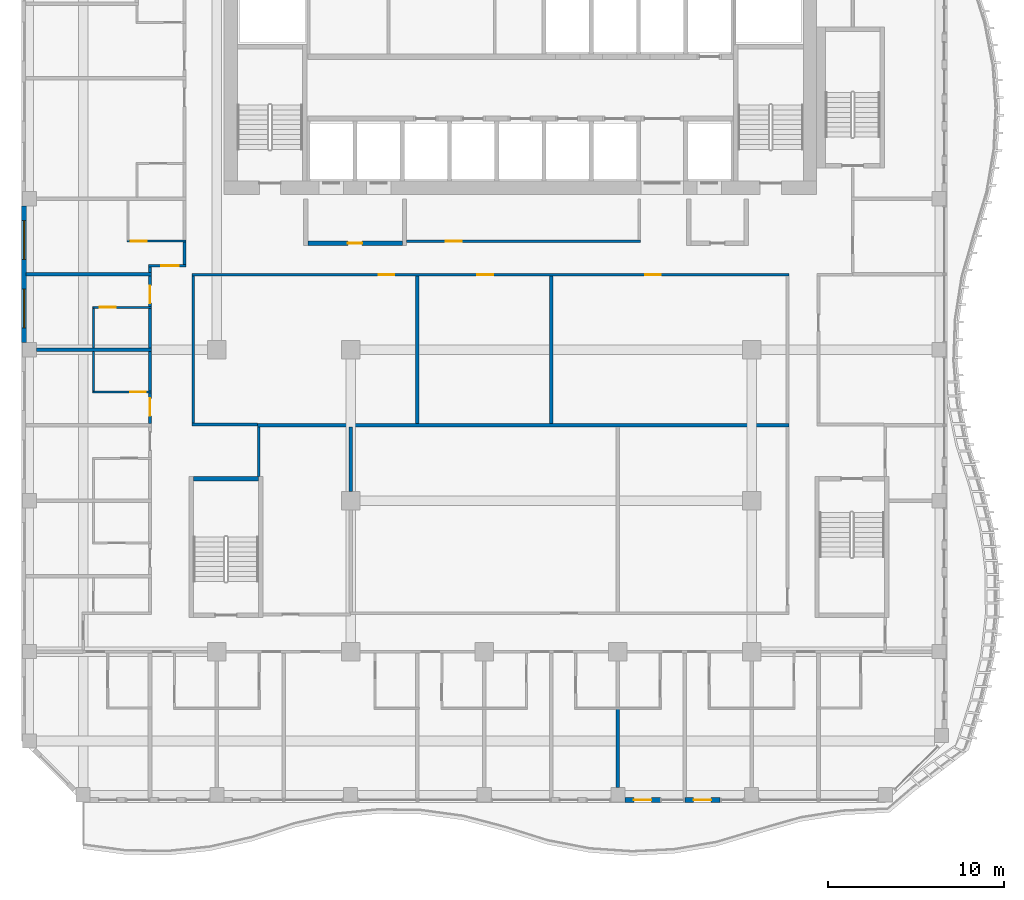
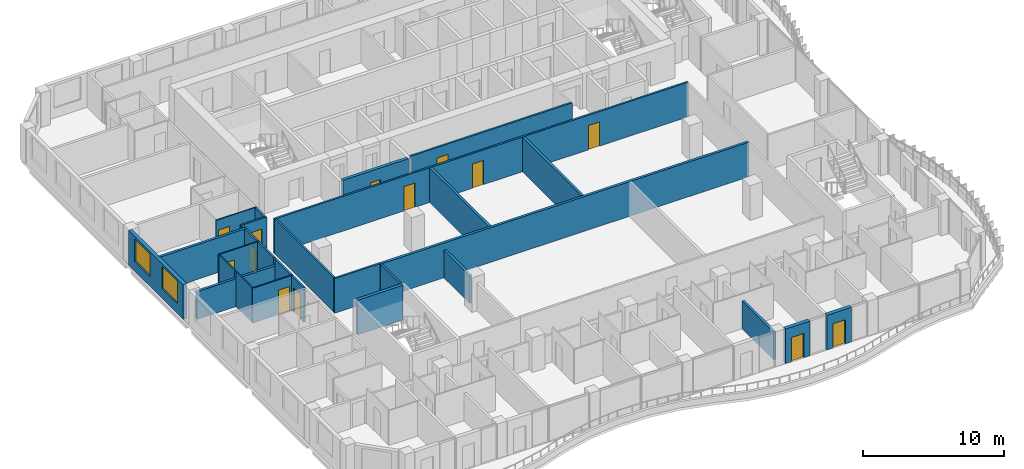
# One storey, part 12 of 24: 29 walls, 13 doors, 2 windows, 15 openings.
"""IFC4 building model written with IfcOpenShell, lengths in metres."""

from ifc_helpers import new_model, si_unit, direction, frame, frame_2d, origin, place, context, subcontext, project, spatial, rectangle, extrude, source, transform, mapped, material, layer, layer_set, type_object, element, fill, save


model = new_model("IFC4")

# Units and contexts
model_context = context("Model", 3, precision=1e-05, world=origin(), true_north=direction((0.0, 1.0)))
body_context = subcontext(model_context, "Body", "Model", "MODEL_VIEW")
ifc_project = project(units=[si_unit("LENGTHUNIT", "METRE"), si_unit("AREAUNIT", "SQUARE_METRE"), si_unit("VOLUMEUNIT", "CUBIC_METRE"), si_unit("PLANEANGLEUNIT", "RADIAN"), si_unit("MASSUNIT", "GRAM", prefix="KILO")], contexts=[model_context])

# Site, building, storey
site_placement = place(None, origin())
site = spatial("IfcSite", under=ifc_project, at=site_placement, CompositionType="ELEMENT")
building_placement = place(site_placement, origin())
building = spatial("IfcBuilding", under=site, at=building_placement, Name="Kilnfold Tower and Market Hall", CompositionType="ELEMENT")
storey_placement = place(building_placement, frame((0.0, 0.0, 192.300048828125)))
storey = spatial("IfcBuildingStorey", under=building, at=storey_placement, Name="L46", CompositionType="ELEMENT", Elevation=192.300048828125)

# Wall, opening, door
ifc_material_1 = material(Name="Gypsum board on steel studs", Category="steel")
ifc_layer_1 = layer(ifc_material_1, 0.14990234375)
ifc_layer_set_1 = layer_set([ifc_layer_1], Name="Gypsum board on steel studs")
wall_type_1 = type_object("IfcWallType", Name="WALL CORRIDOR 150", PredefinedType="PARTITIONING", material=ifc_layer_set_1)
wall_1_placement = place(storey_placement, frame((-19.958984375, -4.7529296875, 0.0), z_axis=(0.0, 0.0, 1.0), x_axis=(0.0, 1.0, 0.0)))
wall_1 = element("IfcWall", 1, at=wall_1_placement, inside=storey, type_object=wall_type_1, Name="Partition LY28.14", PredefinedType="PARTITIONING", context=body_context, shape_type="SweptSolid", body=[
    extrude(rectangle(XDim=1.7509765625, YDim=0.14990234375, at=frame_2d((0.87548828125, 0.0))), origin(), (0.0, 0.0, 1.0), 3.0),
])
opening_1_placement = place(wall_1_placement, frame((0.43408203125, 0.0, 0.0)))
opening_1 = element("IfcOpeningElement", 2, at=opening_1_placement, cuts=wall_1, Name="Opening D1", PredefinedType="OPENING", context=body_context, shape_type="SweptSolid", body=[
    extrude(rectangle(XDim=1.0, YDim=2.10009765625, at=frame_2d((0.5, 1.050048828125))), frame((0.0, 0.0849609375, 0.0), z_axis=(0.0, -1.0, 0.0), x_axis=(1.0, 0.0, 0.0)), (0.0, 0.0, 1.0), 0.169921875),
])
ifc_material_2 = material(Name="Timber veneer door leaf in steel frame", Category="steel")
door_type_1 = type_object("IfcDoorType", Name="DOOR ENTRY 1000 X2100", OperationType="NOTDEFINED", PredefinedType="DOOR", material=ifc_material_2)
door_1_placement = place(opening_1_placement, origin())
door_1 = element("IfcDoor", 3, at=door_1_placement, inside=storey, type_object=door_type_1, Name="Door D1", OperationType="SINGLE_SWING_RIGHT", OverallHeight=2.10009765625, OverallWidth=1.0, PredefinedType="DOOR", context=body_context, shape_type="SweptSolid", body=[
    extrude(rectangle(XDim=1.0, YDim=2.10009765625, at=frame_2d((0.5, 1.050048828125))), frame((0.0, 0.02490234375, 0.0), z_axis=(0.0, -1.0, 0.0), x_axis=(1.0, 0.0, 0.0)), (0.0, 0.0, 1.0), 0.050048828125),
])
fill(opening_1, door_1)

# Wall
wall_2_placement = place(storey_placement, frame((-19.958984375, -2.922119140625, 0.0), z_axis=(0.0, 0.0, 1.0), x_axis=(0.0, 1.0, 0.0)))
element("IfcWall", 4, at=wall_2_placement, inside=storey, type_object=wall_type_1, Name="Partition LY28.15", PredefinedType="PARTITIONING", context=body_context, shape_type="SweptSolid", body=[
    extrude(rectangle(XDim=2.27001953125, YDim=0.14990234375, at=frame_2d((1.135009765625, 0.0))), origin(), (0.0, 0.0, 1.0), 3.0),
])

# Wall, opening, door
wall_3_placement = place(storey_placement, frame((-19.958984375, 1.8779296875, 0.0), z_axis=(0.0, 0.0, 1.0), x_axis=(0.0, 1.0, 0.0)))
wall_3 = element("IfcWall", 5, at=wall_3_placement, inside=storey, type_object=wall_type_1, Name="Partition LY28.16", PredefinedType="PARTITIONING", context=body_context, shape_type="SweptSolid", body=[
    extrude(rectangle(XDim=1.7509765625, YDim=0.14990234375, at=frame_2d((0.87548828125, 0.0))), origin(), (0.0, 0.0, 1.0), 3.0),
])
opening_2_placement = place(wall_3_placement, frame((0.199951171875, 0.0, 0.0)))
opening_2 = element("IfcOpeningElement", 6, at=opening_2_placement, cuts=wall_3, Name="Opening D1", PredefinedType="OPENING", context=body_context, shape_type="SweptSolid", body=[
    extrude(rectangle(XDim=1.0, YDim=2.10009765625, at=frame_2d((0.5, 1.050048828125))), frame((0.0, 0.0849609375, 0.0), z_axis=(0.0, -1.0, 0.0), x_axis=(1.0, 0.0, 0.0)), (0.0, 0.0, 1.0), 0.169921875),
])
door_2_placement = place(opening_2_placement, origin())
door_2 = element("IfcDoor", 7, at=door_2_placement, inside=storey, type_object=door_type_1, Name="Door D1", OperationType="SINGLE_SWING_RIGHT", OverallHeight=2.10009765625, OverallWidth=1.0, PredefinedType="DOOR", context=body_context, shape_type="SweptSolid", body=[
    extrude(rectangle(XDim=1.0, YDim=2.10009765625, at=frame_2d((0.5, 1.050048828125))), frame((0.0, 0.02490234375, 0.0), z_axis=(0.0, -1.0, 0.0), x_axis=(1.0, 0.0, 0.0)), (0.0, 0.0, 1.0), 0.050048828125),
])
fill(opening_2, door_2)

# Walls
wall_4_placement = place(storey_placement, frame((-19.958984375, -0.471923828125, 0.0), z_axis=(0.0, 0.0, 1.0), x_axis=(0.0, 1.0, 0.0)))
element("IfcWall", 8, at=wall_4_placement, inside=storey, type_object=wall_type_1, Name="Partition LY28.17", PredefinedType="PARTITIONING", context=body_context, shape_type="SweptSolid", body=[
    extrude(rectangle(XDim=2.27001953125, YDim=0.14990234375, at=frame_2d((1.135009765625, 0.0))), origin(), (0.0, 0.0, 1.0), 3.0),
])
wall_5_placement = place(storey_placement, frame((-19.958984375, 3.80908203125, 0.0), z_axis=(0.0, 0.0, 1.0), x_axis=(0.0, 1.0, 0.0)))
element("IfcWall", 9, at=wall_5_placement, inside=storey, type_object=wall_type_1, Name="Partition LY28.18", PredefinedType="PARTITIONING", context=body_context, shape_type="SweptSolid", body=[
    extrude(rectangle(XDim=0.31591796875, YDim=0.14990234375, at=frame_2d((0.157958984375, 0.0))), origin(), (0.0, 0.0, 1.0), 3.0),
])

# Wall, opening, door
wall_6_placement = place(storey_placement, frame((-17.925048828125, 4.199951171875, 0.0), z_axis=(0.0, 0.0, 1.0), x_axis=(-1.0, 0.0, 0.0)))
wall_6 = element("IfcWall", 10, at=wall_6_placement, inside=storey, type_object=wall_type_1, Name="Partition LY28.19", PredefinedType="PARTITIONING", context=body_context, shape_type="SweptSolid", body=[
    extrude(rectangle(XDim=2.10888671875, YDim=0.14990234375, at=frame_2d((1.054443359375, 0.0))), origin(), (0.0, 0.0, 1.0), 3.0),
])
opening_3_placement = place(wall_6_placement, frame((0.403076171875, 0.0, 0.0)))
opening_3 = element("IfcOpeningElement", 11, at=opening_3_placement, cuts=wall_6, Name="Opening D1", PredefinedType="OPENING", context=body_context, shape_type="SweptSolid", body=[
    extrude(rectangle(XDim=1.0, YDim=2.10009765625, at=frame_2d((0.5, 1.050048828125))), frame((0.0, 0.0849609375, 0.0), z_axis=(0.0, -1.0, 0.0), x_axis=(1.0, 0.0, 0.0)), (0.0, 0.0, 1.0), 0.169921875),
])
door_3_placement = place(opening_3_placement, origin())
door_3 = element("IfcDoor", 12, at=door_3_placement, inside=storey, type_object=door_type_1, Name="Door D1", OperationType="SINGLE_SWING_LEFT", OverallHeight=2.10009765625, OverallWidth=1.0, PredefinedType="DOOR", context=body_context, shape_type="SweptSolid", body=[
    extrude(rectangle(XDim=1.0, YDim=2.10009765625, at=frame_2d((0.5, 1.050048828125))), frame((0.0, 0.02490234375, 0.0), z_axis=(0.0, -1.0, 0.0), x_axis=(1.0, 0.0, 0.0)), (0.0, 0.0, 1.0), 0.050048828125),
])
fill(opening_3, door_3)

# Wall
wall_7_placement = place(storey_placement, frame((-18.0, 4.27490234375, 0.0), z_axis=(0.0, 0.0, 1.0), x_axis=(0.0, 1.0, 0.0)))
element("IfcWall", 13, at=wall_7_placement, inside=storey, type_object=wall_type_1, Name="Partition LY28.20", PredefinedType="PARTITIONING", context=body_context, shape_type="SweptSolid", body=[
    extrude(rectangle(XDim=1.28515625, YDim=0.14990234375, at=frame_2d((0.642578125, 0.0))), origin(), (0.0, 0.0, 1.0), 3.0),
])

# Wall, opening, door
wall_8_placement = place(storey_placement, frame((7.875, 5.60009765625, 0.0), z_axis=(0.0, 0.0, 1.0), x_axis=(-1.0, 0.0, 0.0)))
wall_8 = element("IfcWall", 14, at=wall_8_placement, inside=storey, type_object=wall_type_1, Name="Partition LY28.40", PredefinedType="PARTITIONING", context=body_context, shape_type="SweptSolid", body=[
    extrude(rectangle(XDim=13.27490234375, YDim=0.14990234375, at=frame_2d((6.637451171875, 0.0))), origin(), (0.0, 0.0, 1.0), 3.0),
])
opening_4_placement = place(wall_8_placement, frame((10.162109375, 0.0, 0.0)))
opening_4 = element("IfcOpeningElement", 15, at=opening_4_placement, cuts=wall_8, Name="Opening D2", PredefinedType="OPENING", context=body_context, shape_type="SweptSolid", body=[
    extrude(rectangle(XDim=0.89990234375, YDim=2.10009765625, at=frame_2d((0.449951171875, 1.050048828125))), frame((0.0, 0.0849609375, 0.0), z_axis=(0.0, -1.0, 0.0), x_axis=(1.0, 0.0, 0.0)), (0.0, 0.0, 1.0), 0.169921875),
])
ifc_material_3 = material(Name="Timber veneer door leaf in steel frame", Category="steel")
door_type_2 = type_object("IfcDoorType", Name="DOOR ROOM 900 X2100", OperationType="NOTDEFINED", PredefinedType="DOOR", material=ifc_material_3)
door_4_placement = place(opening_4_placement, origin())
door_4 = element("IfcDoor", 16, at=door_4_placement, inside=storey, type_object=door_type_2, Name="Door D2", OperationType="SINGLE_SWING_RIGHT", OverallHeight=2.10009765625, OverallWidth=0.89990234375, PredefinedType="DOOR", context=body_context, shape_type="SweptSolid", body=[
    extrude(rectangle(XDim=0.89990234375, YDim=2.10009765625, at=frame_2d((0.449951171875, 1.050048828125))), frame((0.0, 0.02490234375, 0.0), z_axis=(0.0, -1.0, 0.0), x_axis=(1.0, 0.0, 0.0)), (0.0, 0.0, 1.0), 0.050048828125),
])
fill(opening_4, door_4)

# Wall, openings, doors
wall_9_placement = place(storey_placement, frame((-17.574951171875, 3.699951171875, 0.0), z_axis=(0.0, 0.0, 1.0), x_axis=(1.0, 0.0, 0.0)))
wall_9 = element("IfcWall", 17, at=wall_9_placement, inside=storey, type_object=wall_type_1, Name="Partition LY28.42", PredefinedType="PARTITIONING", context=body_context, shape_type="SweptSolid", body=[
    extrude(rectangle(XDim=33.849853515625, YDim=0.14990234375, at=frame_2d((16.9248046875, 0.0))), origin(), (0.0, 0.0, 1.0), 3.0),
])
opening_5_placement = place(wall_9_placement, frame((10.583984375, 0.0, 0.0)))
opening_5 = element("IfcOpeningElement", 18, at=opening_5_placement, cuts=wall_9, Name="Opening D2", PredefinedType="OPENING", context=body_context, shape_type="SweptSolid", body=[
    extrude(rectangle(XDim=0.89990234375, YDim=2.10009765625, at=frame_2d((0.449951171875, 1.050048828125))), frame((0.0, 0.0849609375, 0.0), z_axis=(0.0, -1.0, 0.0), x_axis=(1.0, 0.0, 0.0)), (0.0, 0.0, 1.0), 0.169921875),
])
opening_6_placement = place(wall_9_placement, frame((16.175048828125, 0.0, 0.0)))
opening_6 = element("IfcOpeningElement", 19, at=opening_6_placement, cuts=wall_9, Name="Opening D2", PredefinedType="OPENING", context=body_context, shape_type="SweptSolid", body=[
    extrude(rectangle(XDim=0.89990234375, YDim=2.10009765625, at=frame_2d((0.449951171875, 1.050048828125))), frame((0.0, 0.0849609375, 0.0), z_axis=(0.0, -1.0, 0.0), x_axis=(1.0, 0.0, 0.0)), (0.0, 0.0, 1.0), 0.169921875),
])
opening_7_placement = place(wall_9_placement, frame((25.696044921875, 0.0, 0.0)))
opening_7 = element("IfcOpeningElement", 20, at=opening_7_placement, cuts=wall_9, Name="Opening D2", PredefinedType="OPENING", context=body_context, shape_type="SweptSolid", body=[
    extrude(rectangle(XDim=0.89990234375, YDim=2.10009765625, at=frame_2d((0.449951171875, 1.050048828125))), frame((0.0, 0.0849609375, 0.0), z_axis=(0.0, -1.0, 0.0), x_axis=(1.0, 0.0, 0.0)), (0.0, 0.0, 1.0), 0.169921875),
])
door_5_placement = place(opening_5_placement, origin())
door_5 = element("IfcDoor", 21, at=door_5_placement, inside=storey, type_object=door_type_2, Name="Door D2", OperationType="SINGLE_SWING_RIGHT", OverallHeight=2.10009765625, OverallWidth=0.89990234375, PredefinedType="DOOR", context=body_context, shape_type="SweptSolid", body=[
    extrude(rectangle(XDim=0.89990234375, YDim=2.10009765625, at=frame_2d((0.449951171875, 1.050048828125))), frame((0.0, 0.02490234375, 0.0), z_axis=(0.0, -1.0, 0.0), x_axis=(1.0, 0.0, 0.0)), (0.0, 0.0, 1.0), 0.050048828125),
])
fill(opening_5, door_5)
door_6_placement = place(opening_6_placement, origin())
door_6 = element("IfcDoor", 22, at=door_6_placement, inside=storey, type_object=door_type_2, Name="Door D2", OperationType="SINGLE_SWING_LEFT", OverallHeight=2.10009765625, OverallWidth=0.89990234375, PredefinedType="DOOR", context=body_context, shape_type="SweptSolid", body=[
    extrude(rectangle(XDim=0.89990234375, YDim=2.10009765625, at=frame_2d((0.449951171875, 1.050048828125))), frame((0.0, 0.02490234375, 0.0), z_axis=(0.0, -1.0, 0.0), x_axis=(1.0, 0.0, 0.0)), (0.0, 0.0, 1.0), 0.050048828125),
])
fill(opening_6, door_6)
door_7_placement = place(opening_7_placement, origin())
door_7 = element("IfcDoor", 23, at=door_7_placement, inside=storey, type_object=door_type_2, Name="Door D2", OperationType="SINGLE_SWING_RIGHT", OverallHeight=2.10009765625, OverallWidth=0.89990234375, PredefinedType="DOOR", context=body_context, shape_type="SweptSolid", body=[
    extrude(rectangle(XDim=0.89990234375, YDim=2.10009765625, at=frame_2d((0.449951171875, 1.050048828125))), frame((0.0, 0.02490234375, 0.0), z_axis=(0.0, -1.0, 0.0), x_axis=(1.0, 0.0, 0.0)), (0.0, 0.0, 1.0), 0.050048828125),
])
fill(opening_7, door_7)

# Walls
wall_10_placement = place(storey_placement, frame((-17.5, -4.72509765625, 0.0), z_axis=(0.0, 0.0, 1.0), x_axis=(0.0, 1.0, 0.0)))
element("IfcWall", 24, at=wall_10_placement, inside=storey, type_object=wall_type_1, Name="Partition LY28.43", PredefinedType="PARTITIONING", context=body_context, shape_type="SweptSolid", body=[
    extrude(rectangle(XDim=8.35009765625, YDim=0.14990234375, at=frame_2d((4.175048828125, 0.0))), origin(), (0.0, 0.0, 1.0), 3.0),
])
wall_11_placement = place(storey_placement, frame((-17.574951171875, -4.800048828125, 0.0), z_axis=(0.0, 0.0, 1.0), x_axis=(1.0, 0.0, 0.0)))
element("IfcWall", 25, at=wall_11_placement, inside=storey, type_object=wall_type_1, Name="Partition LY28.44", PredefinedType="PARTITIONING", context=body_context, shape_type="SweptSolid", body=[
    extrude(rectangle(XDim=3.701904296875, YDim=0.14990234375, at=frame_2d((1.85107421875, 0.0))), origin(), (0.0, 0.0, 1.0), 3.0),
])
wall_12_placement = place(storey_placement, frame((-13.800048828125, -7.75, 0.0), z_axis=(0.0, 0.0, 1.0), x_axis=(0.0, 1.0, 0.0)))
element("IfcWall", 26, at=wall_12_placement, inside=storey, type_object=wall_type_1, Name="Partition LY28.46", PredefinedType="PARTITIONING", context=body_context, shape_type="SweptSolid", body=[
    extrude(rectangle(XDim=2.81689453125, YDim=0.14990234375, at=frame_2d((1.408447265625, 0.0))), origin(), (0.0, 0.0, 1.0), 3.0),
])

# Wall, opening, door
ifc_material_4 = material(Name="Gypsum board on steel studs", Category="steel")
ifc_layer_2 = layer(ifc_material_4, 0.10009765625)
ifc_layer_set_2 = layer_set([ifc_layer_2], Name="Gypsum board on steel studs")
wall_type_2 = type_object("IfcWallType", Name="WALL PARTITION 100", PredefinedType="PARTITIONING", material=ifc_layer_set_2)
wall_13_placement = place(storey_placement, frame((-19.885986328125, -2.9619140625, 0.0), z_axis=(0.0, 0.0, 1.0), x_axis=(-1.0, 0.0, 0.0)))
wall_13 = element("IfcWall", 27, at=wall_13_placement, inside=storey, type_object=wall_type_2, Name="Partition LY28.95", PredefinedType="PARTITIONING", context=body_context, shape_type="SweptSolid", body=[
    extrude(rectangle(XDim=3.324951171875, YDim=0.10009765625, at=frame_2d((1.66259765625, 0.0))), origin(), (0.0, 0.0, 1.0), 3.0),
])
opening_8_placement = place(wall_13_placement, frame((0.301025390625, 0.0, 0.0)))
opening_8 = element("IfcOpeningElement", 28, at=opening_8_placement, cuts=wall_13, Name="Opening D3", PredefinedType="OPENING", context=body_context, shape_type="SweptSolid", body=[
    extrude(rectangle(XDim=0.89990234375, YDim=2.10009765625, at=frame_2d((0.449951171875, 1.050048828125))), frame((0.0, 0.06005859375, 0.0), z_axis=(0.0, -1.0, 0.0), x_axis=(1.0, 0.0, 0.0)), (0.0, 0.0, 1.0), 0.1201171875),
])
ifc_material_5 = material(Name="Timber veneer door leaf in steel frame", Category="steel")
door_type_3 = type_object("IfcDoorType", Name="DOOR WC 900 X2100", OperationType="NOTDEFINED", PredefinedType="DOOR", material=ifc_material_5)
door_8_placement = place(opening_8_placement, origin())
door_8 = element("IfcDoor", 29, at=door_8_placement, inside=storey, type_object=door_type_3, Name="Door D3", OperationType="SINGLE_SWING_RIGHT", OverallHeight=2.10009765625, OverallWidth=0.89990234375, PredefinedType="DOOR", context=body_context, shape_type="SweptSolid", body=[
    extrude(rectangle(XDim=0.89990234375, YDim=2.10009765625, at=frame_2d((0.449951171875, 1.050048828125))), frame((0.0, 0.02490234375, 0.0), z_axis=(0.0, -1.0, 0.0), x_axis=(1.0, 0.0, 0.0)), (0.0, 0.0, 1.0), 0.050048828125),
])
fill(opening_8, door_8)

# Wall
wall_14_placement = place(storey_placement, frame((-23.160888671875, -2.912109375, 0.0), z_axis=(0.0, 0.0, 1.0), x_axis=(0.0, 1.0, 0.0)))
element("IfcWall", 30, at=wall_14_placement, inside=storey, type_object=wall_type_2, Name="Partition LY28.96", PredefinedType="PARTITIONING", context=body_context, shape_type="SweptSolid", body=[
    extrude(rectangle(XDim=2.25, YDim=0.10009765625, at=frame_2d((1.125, 0.0))), origin(), (0.0, 0.0, 1.0), 3.0),
])

# Wall, opening, door
wall_15_placement = place(storey_placement, frame((-23.2109375, 1.837890625, 0.0), z_axis=(0.0, 0.0, 1.0), x_axis=(1.0, 0.0, 0.0)))
wall_15 = element("IfcWall", 31, at=wall_15_placement, inside=storey, type_object=wall_type_2, Name="Partition LY28.98", PredefinedType="PARTITIONING", context=body_context, shape_type="SweptSolid", body=[
    extrude(rectangle(XDim=3.324951171875, YDim=0.10009765625, at=frame_2d((1.66259765625, 0.0))), origin(), (0.0, 0.0, 1.0), 3.0),
])
opening_9_placement = place(wall_15_placement, frame((0.402099609375, 0.0, 0.0)))
opening_9 = element("IfcOpeningElement", 32, at=opening_9_placement, cuts=wall_15, Name="Opening D3", PredefinedType="OPENING", context=body_context, shape_type="SweptSolid", body=[
    extrude(rectangle(XDim=0.89990234375, YDim=2.10009765625, at=frame_2d((0.449951171875, 1.050048828125))), frame((0.0, 0.06005859375, 0.0), z_axis=(0.0, -1.0, 0.0), x_axis=(1.0, 0.0, 0.0)), (0.0, 0.0, 1.0), 0.1201171875),
])
door_9_placement = place(opening_9_placement, origin())
door_9 = element("IfcDoor", 33, at=door_9_placement, inside=storey, type_object=door_type_3, Name="Door D3", OperationType="SINGLE_SWING_LEFT", OverallHeight=2.10009765625, OverallWidth=0.89990234375, PredefinedType="DOOR", context=body_context, shape_type="SweptSolid", body=[
    extrude(rectangle(XDim=0.89990234375, YDim=2.10009765625, at=frame_2d((0.449951171875, 1.050048828125))), frame((0.0, 0.02490234375, 0.0), z_axis=(0.0, -1.0, 0.0), x_axis=(1.0, 0.0, 0.0)), (0.0, 0.0, 1.0), 0.050048828125),
])
fill(opening_9, door_9)

# Wall
wall_16_placement = place(storey_placement, frame((-23.160888671875, -0.4619140625, 0.0), z_axis=(0.0, 0.0, 1.0), x_axis=(0.0, 1.0, 0.0)))
element("IfcWall", 34, at=wall_16_placement, inside=storey, type_object=wall_type_2, Name="Partition LY28.99", PredefinedType="PARTITIONING", context=body_context, shape_type="SweptSolid", body=[
    extrude(rectangle(XDim=2.25, YDim=0.10009765625, at=frame_2d((1.125, 0.0))), origin(), (0.0, 0.0, 1.0), 3.0),
])

# Wall, opening, door
wall_17_placement = place(storey_placement, frame((-17.927001953125, 5.60009765625, 0.0), z_axis=(0.0, 0.0, 1.0), x_axis=(-1.0, 0.0, 0.0)))
wall_17 = element("IfcWall", 35, at=wall_17_placement, inside=storey, type_object=wall_type_2, Name="Partition LY28.101", PredefinedType="PARTITIONING", context=body_context, shape_type="SweptSolid", body=[
    extrude(rectangle(XDim=3.324951171875, YDim=0.10009765625, at=frame_2d((1.66259765625, 0.0))), origin(), (0.0, 0.0, 1.0), 3.0),
])
opening_10_placement = place(wall_17_placement, frame((2.22509765625, 0.0, 0.0)))
opening_10 = element("IfcOpeningElement", 36, at=opening_10_placement, cuts=wall_17, Name="Opening D3", PredefinedType="OPENING", context=body_context, shape_type="SweptSolid", body=[
    extrude(rectangle(XDim=0.89990234375, YDim=2.10009765625, at=frame_2d((0.449951171875, 1.050048828125))), frame((0.0, 0.06005859375, 0.0), z_axis=(0.0, -1.0, 0.0), x_axis=(1.0, 0.0, 0.0)), (0.0, 0.0, 1.0), 0.1201171875),
])
door_10_placement = place(opening_10_placement, origin())
door_10 = element("IfcDoor", 37, at=door_10_placement, inside=storey, type_object=door_type_3, Name="Door D3", OperationType="SINGLE_SWING_LEFT", OverallHeight=2.10009765625, OverallWidth=0.89990234375, PredefinedType="DOOR", context=body_context, shape_type="SweptSolid", body=[
    extrude(rectangle(XDim=0.89990234375, YDim=2.10009765625, at=frame_2d((0.449951171875, 1.050048828125))), frame((0.0, 0.02490234375, 0.0), z_axis=(0.0, -1.0, 0.0), x_axis=(1.0, 0.0, 0.0)), (0.0, 0.0, 1.0), 0.050048828125),
])
fill(opening_10, door_10)

# Walls
ifc_material_6 = material(Name="Gypsum board on steel studs", Category="steel")
ifc_layer_3 = layer(ifc_material_6, 0.199951171875)
ifc_layer_set_3 = layer_set([ifc_layer_3], Name="Gypsum board on steel studs")
wall_type_3 = type_object("IfcWallType", Name="WALL PARTY 200", PredefinedType="PARTITIONING", material=ifc_layer_set_3)
wall_18_placement = place(storey_placement, frame((6.5830078125, -25.39990234375, 0.0), z_axis=(0.0, 0.0, 1.0), x_axis=(0.0, 1.0, 0.0)))
element("IfcWall", 38, at=wall_18_placement, inside=storey, type_object=wall_type_3, Name="Partition LY28.73", PredefinedType="PARTITIONING", context=body_context, shape_type="SweptSolid", body=[
    extrude(rectangle(XDim=4.447998046875, YDim=0.199951171875, at=frame_2d((2.22412109375, 0.0))), origin(), (0.0, 0.0, 1.0), 2.39990234375),
])
wall_19_placement = place(storey_placement, frame((-26.39990234375, -0.56201171875, 0.0), z_axis=(0.0, 0.0, 1.0), x_axis=(1.0, 0.0, 0.0)))
element("IfcWall", 39, at=wall_19_placement, inside=storey, type_object=wall_type_3, Name="Partition LY28.97", PredefinedType="PARTITIONING", context=body_context, shape_type="SweptSolid", body=[
    extrude(rectangle(XDim=6.513916015625, YDim=0.199951171875, at=frame_2d((3.2568359375, 0.0))), origin(), (0.0, 0.0, 1.0), 2.39990234375),
])
wall_20_placement = place(storey_placement, frame((-27.0, 3.718994140625, 0.0), z_axis=(0.0, 0.0, 1.0), x_axis=(1.0, 0.0, 0.0)))
element("IfcWall", 40, at=wall_20_placement, inside=storey, type_object=wall_type_3, Name="Partition LY28.100", PredefinedType="PARTITIONING", context=body_context, shape_type="SweptSolid", body=[
    extrude(rectangle(XDim=7.114013671875, YDim=0.199951171875, at=frame_2d((3.55712890625, 0.0))), origin(), (0.0, 0.0, 1.0), 3.0),
])
wall_21_placement = place(storey_placement, frame((-4.7919921875, -4.742919921875, 0.0), z_axis=(0.0, 0.0, 1.0), x_axis=(0.0, 1.0, 0.0)))
element("IfcWall", 41, at=wall_21_placement, inside=storey, type_object=wall_type_3, Name="Partition LY28.122", PredefinedType="PARTITIONING", context=body_context, shape_type="SweptSolid", body=[
    extrude(rectangle(XDim=8.365966796875, YDim=0.199951171875, at=frame_2d((4.18310546875, 0.0))), origin(), (0.0, 0.0, 1.0), 3.0),
])
wall_22_placement = place(storey_placement, frame((-13.873046875, -4.843017578125, 0.0), z_axis=(0.0, 0.0, 1.0), x_axis=(1.0, 0.0, 0.0)))
element("IfcWall", 42, at=wall_22_placement, inside=storey, type_object=wall_type_3, Name="Partition LY28.123", PredefinedType="PARTITIONING", context=body_context, shape_type="SweptSolid", body=[
    extrude(rectangle(XDim=30.14599609375, YDim=0.199951171875, at=frame_2d((15.072998046875, 0.0))), origin(), (0.0, 0.0, 1.0), 3.0),
])
wall_23_placement = place(storey_placement, frame((2.7919921875, -4.742919921875, 0.0), z_axis=(0.0, 0.0, 1.0), x_axis=(0.0, 1.0, 0.0)))
element("IfcWall", 43, at=wall_23_placement, inside=storey, type_object=wall_type_3, Name="Partition LY28.124", PredefinedType="PARTITIONING", context=body_context, shape_type="SweptSolid", body=[
    extrude(rectangle(XDim=8.365966796875, YDim=0.199951171875, at=frame_2d((4.18310546875, 0.0))), origin(), (0.0, 0.0, 1.0), 3.0),
])
wall_24_placement = place(storey_placement, frame((-8.5830078125, -8.60009765625, 0.0), z_axis=(0.0, 0.0, 1.0), x_axis=(0.0, 1.0, 0.0)))
element("IfcWall", 44, at=wall_24_placement, inside=storey, type_object=wall_type_3, Name="Partition LY28.125", PredefinedType="PARTITIONING", context=body_context, shape_type="SweptSolid", body=[
    extrude(rectangle(XDim=3.656982421875, YDim=0.199951171875, at=frame_2d((1.82861328125, 0.0))), origin(), (0.0, 0.0, 1.0), 2.39990234375),
])
ifc_material_7 = material(Name="Concrete C60", Category="concrete")
ifc_layer_4 = layer(ifc_material_7, 0.25)
ifc_layer_set_4 = layer_set([ifc_layer_4], Name="Concrete C60")
wall_type_4 = type_object("IfcWallType", Name="CORE WALL 250 C60", PredefinedType="SHEAR", material=ifc_layer_set_4)
shared_shape_1 = source(origin(), body_context, "Body", "SweptSolid", [
    extrude(rectangle(XDim=3.699951171875, YDim=0.25, at=frame_2d((1.85009765625, 0.0))), origin(), (0.0, 0.0, 1.0), 3.0),
])
wall_25_placement = place(storey_placement, frame((-17.5, -7.875, 0.0), z_axis=(0.0, 0.0, 1.0), x_axis=(1.0, 0.0, 0.0)))
element("IfcWall", 45, at=wall_25_placement, inside=storey, type_object=wall_type_4, Name="Stair enclosure ST3", PredefinedType="SHEAR", context=body_context, shape_type="MappedRepresentation", body=[
    mapped(shared_shape_1, transform((0.0, 0.0, 0.0))),
])

# Wall, opening, door
ifc_material_8 = material(Name="Precast concrete C50/60", Category="concrete")
ifc_layer_5 = layer(ifc_material_8, 0.300048828125)
ifc_layer_set_5 = layer_set([ifc_layer_5], Name="Precast concrete C50/60")
wall_type_5 = type_object("IfcWallType", Name="PRECAST WALL 300", PredefinedType="SOLIDWALL", material=ifc_layer_set_5)
shared_shape_2 = source(origin(), body_context, "Body", "SweptSolid", [
    extrude(rectangle(XDim=2.0, YDim=0.300048828125, at=frame_2d((1.0, 0.0))), origin(), (0.0, 0.0, 1.0), 3.0),
])
wall_26_placement = place(storey_placement, frame((6.9833984375, -26.10009765625, 0.0), z_axis=(0.0, 0.0, 1.0), x_axis=(1.0, 0.0, 0.0)))
wall_26 = element("IfcWall", 46, at=wall_26_placement, inside=storey, type_object=wall_type_5, Name="External wall L46 S", PredefinedType="SOLIDWALL", context=body_context, shape_type="MappedRepresentation", body=[
    mapped(shared_shape_2, transform((0.0, 0.0, 0.0))),
])
opening_11_placement = place(wall_26_placement, frame((0.5, 0.0, 0.0)))
opening_11 = element("IfcOpeningElement", 47, at=opening_11_placement, cuts=wall_26, Name="Opening BD1", PredefinedType="OPENING", context=body_context, shape_type="SweptSolid", body=[
    extrude(rectangle(XDim=1.0, YDim=2.10009765625, at=frame_2d((0.5, 1.050048828125))), frame((0.0, 0.16015625, 0.0), z_axis=(0.0, -1.0, 0.0), x_axis=(1.0, 0.0, 0.0)), (0.0, 0.0, 1.0), 0.320068359375),
])
ifc_material_9 = material(Name="Aluminium frame and double glazing", Category="aluminium")
door_type_4 = type_object("IfcDoorType", Name="BALCONY DOOR 1000X2100", OperationType="NOTDEFINED", PredefinedType="DOOR", material=ifc_material_9)
door_11_placement = place(opening_11_placement, origin())
door_11 = element("IfcDoor", 48, at=door_11_placement, inside=storey, type_object=door_type_4, Name="Balcony door BD1 L46 S-1", OperationType="SINGLE_SWING_LEFT", OverallHeight=2.10009765625, OverallWidth=1.0, PredefinedType="DOOR", context=body_context, shape_type="SweptSolid", body=[
    extrude(rectangle(XDim=1.0, YDim=2.10009765625, at=frame_2d((0.5, 1.050048828125))), frame((0.0, 0.02490234375, 0.0), z_axis=(0.0, -1.0, 0.0), x_axis=(1.0, 0.0, 0.0)), (0.0, 0.0, 1.0), 0.050048828125),
])
fill(opening_11, door_11)

wall_27_placement = place(storey_placement, frame((10.375, -26.10009765625, 0.0), z_axis=(0.0, 0.0, 1.0), x_axis=(1.0, 0.0, 0.0)))
wall_27 = element("IfcWall", 49, at=wall_27_placement, inside=storey, type_object=wall_type_5, Name="External wall L46 S", PredefinedType="SOLIDWALL", context=body_context, shape_type="MappedRepresentation", body=[
    mapped(shared_shape_2, transform((0.0, 0.0, 0.0))),
])
opening_12_placement = place(wall_27_placement, frame((0.5, 0.0, 0.0)))
opening_12 = element("IfcOpeningElement", 50, at=opening_12_placement, cuts=wall_27, Name="Opening BD1", PredefinedType="OPENING", context=body_context, shape_type="SweptSolid", body=[
    extrude(rectangle(XDim=1.0, YDim=2.10009765625, at=frame_2d((0.5, 1.050048828125))), frame((0.0, 0.16015625, 0.0), z_axis=(0.0, -1.0, 0.0), x_axis=(1.0, 0.0, 0.0)), (0.0, 0.0, 1.0), 0.320068359375),
])
door_12_placement = place(opening_12_placement, origin())
door_12 = element("IfcDoor", 51, at=door_12_placement, inside=storey, type_object=door_type_4, Name="Balcony door BD1 L46 S-2", OperationType="SINGLE_SWING_RIGHT", OverallHeight=2.10009765625, OverallWidth=1.0, PredefinedType="DOOR", context=body_context, shape_type="SweptSolid", body=[
    extrude(rectangle(XDim=1.0, YDim=2.10009765625, at=frame_2d((0.5, 1.050048828125))), frame((0.0, 0.02490234375, 0.0), z_axis=(0.0, -1.0, 0.0), x_axis=(1.0, 0.0, 0.0)), (0.0, 0.0, 1.0), 0.050048828125),
])
fill(opening_12, door_12)

# Wall, openings, windows
shared_shape_3 = source(origin(), body_context, "Body", "SweptSolid", [
    extrude(rectangle(XDim=7.7626953125, YDim=0.300048828125, at=frame_2d((3.88134765625, 0.0))), origin(), (0.0, 0.0, 1.0), 3.0),
])
wall_28_placement = place(storey_placement, frame((-27.10009765625, 7.60009765625, 0.0), z_axis=(0.0, 0.0, 1.0), x_axis=(0.0, -1.0, 0.0)))
wall_28 = element("IfcWall", 52, at=wall_28_placement, inside=storey, type_object=wall_type_5, Name="External wall L46 W", PredefinedType="SOLIDWALL", context=body_context, shape_type="MappedRepresentation", body=[
    mapped(shared_shape_3, transform((0.0, 0.0, 0.0))),
])
opening_13_placement = place(wall_28_placement, frame((0.840576171875, 0.0, 0.85009765625)))
opening_13 = element("IfcOpeningElement", 53, at=opening_13_placement, cuts=wall_28, Name="Opening W2", PredefinedType="OPENING", context=body_context, shape_type="SweptSolid", body=[
    extrude(rectangle(XDim=2.199951171875, YDim=1.949951171875, at=frame_2d((1.10009765625, 0.97509765625))), frame((0.0, 0.16015625, 0.0), z_axis=(0.0, -1.0, 0.0), x_axis=(1.0, 0.0, 0.0)), (0.0, 0.0, 1.0), 0.320068359375),
])
opening_14_placement = place(wall_28_placement, frame((4.7216796875, 0.0, 0.85009765625)))
opening_14 = element("IfcOpeningElement", 54, at=opening_14_placement, cuts=wall_28, Name="Opening W2", PredefinedType="OPENING", context=body_context, shape_type="SweptSolid", body=[
    extrude(rectangle(XDim=2.199951171875, YDim=1.949951171875, at=frame_2d((1.10009765625, 0.97509765625))), frame((0.0, 0.16015625, 0.0), z_axis=(0.0, -1.0, 0.0), x_axis=(1.0, 0.0, 0.0)), (0.0, 0.0, 1.0), 0.320068359375),
])
ifc_material_10 = material(Name="Aluminium frame and double glazing", Category="aluminium")
window_type = type_object("IfcWindowType", Name="WINDOW W2 2200X1950", PartitioningType="SINGLE_PANEL", PredefinedType="WINDOW", material=ifc_material_10)
window_1_placement = place(opening_13_placement, origin())
window_1 = element("IfcWindow", 55, at=window_1_placement, inside=storey, type_object=window_type, Name="Window W2 L46 W-1", OverallHeight=1.949951171875, OverallWidth=2.199951171875, PartitioningType="SINGLE_PANEL", PredefinedType="WINDOW", context=body_context, shape_type="SweptSolid", body=[
    extrude(rectangle(XDim=2.199951171875, YDim=1.949951171875, at=frame_2d((1.10009765625, 0.97509765625))), frame((0.0, 0.030029296875, 0.0), z_axis=(0.0, -1.0, 0.0), x_axis=(1.0, 0.0, 0.0)), (0.0, 0.0, 1.0), 0.06005859375),
])
fill(opening_13, window_1)
window_2_placement = place(opening_14_placement, origin())
window_2 = element("IfcWindow", 56, at=window_2_placement, inside=storey, type_object=window_type, Name="Window W2 L46 W-2", OverallHeight=1.949951171875, OverallWidth=2.199951171875, PartitioningType="SINGLE_PANEL", PredefinedType="WINDOW", context=body_context, shape_type="SweptSolid", body=[
    extrude(rectangle(XDim=2.199951171875, YDim=1.949951171875, at=frame_2d((1.10009765625, 0.97509765625))), frame((0.0, 0.030029296875, 0.0), z_axis=(0.0, -1.0, 0.0), x_axis=(1.0, 0.0, 0.0)), (0.0, 0.0, 1.0), 0.06005859375),
])
fill(opening_14, window_2)

# Wall, opening, door
ifc_material_11 = material(Name="Gypsum shaft wall system")
ifc_layer_6 = layer(ifc_material_11, 0.25)
ifc_layer_set_6 = layer_set([ifc_layer_6], Name="Gypsum shaft wall system")
wall_type_6 = type_object("IfcWallType", Name="LOBBY WALL 250", PredefinedType="PARTITIONING", material=ifc_layer_set_6)
shared_shape_4 = source(origin(), body_context, "Body", "SweptSolid", [
    extrude(rectangle(XDim=5.360107421875, YDim=0.25, at=frame_2d((2.68017578125, 0.0))), origin(), (0.0, 0.0, 1.0), 3.0),
])
wall_29_placement = place(storey_placement, frame((-11.010009765625, 5.47509765625, 0.0), z_axis=(0.0, 0.0, 1.0), x_axis=(1.0, 0.0, 0.0)))
wall_29 = element("IfcWall", 57, at=wall_29_placement, inside=storey, type_object=wall_type_6, Name="Firefighting lobby wall", PredefinedType="PARTITIONING", context=body_context, shape_type="MappedRepresentation", body=[
    mapped(shared_shape_4, transform((0.0, 0.0, 0.0))),
])
opening_15_placement = place(wall_29_placement, frame((2.280029296875, 0.0, 0.0)))
opening_15 = element("IfcOpeningElement", 58, at=opening_15_placement, cuts=wall_29, Name="Opening VD1", PredefinedType="OPENING", context=body_context, shape_type="SweptSolid", body=[
    extrude(rectangle(XDim=0.800048828125, YDim=2.0, at=frame_2d((0.39990234375, 1.0))), frame((0.0, 0.135009765625, 0.0), z_axis=(0.0, -1.0, 0.0), x_axis=(1.0, 0.0, 0.0)), (0.0, 0.0, 1.0), 0.27001953125),
])
ifc_material_12 = material(Name="Steel door set with fire-resisting leaf", Category="steel")
door_type_5 = type_object("IfcDoorType", Name="FIREFIGHTING LOBBY DOOR 800X2000", OperationType="NOTDEFINED", PredefinedType="DOOR", material=ifc_material_12)
door_13_placement = place(opening_15_placement, origin())
door_13 = element("IfcDoor", 59, at=door_13_placement, inside=storey, type_object=door_type_5, Name="Firefighting lobby door", OperationType="SINGLE_SWING_LEFT", OverallHeight=2.0, OverallWidth=0.800048828125, PredefinedType="DOOR", context=body_context, shape_type="SweptSolid", body=[
    extrude(rectangle(XDim=0.800048828125, YDim=2.0, at=frame_2d((0.39990234375, 1.0))), frame((0.0, 0.02490234375, 0.0), z_axis=(0.0, -1.0, 0.0), x_axis=(1.0, 0.0, 0.0)), (0.0, 0.0, 1.0), 0.050048828125),
])
fill(opening_15, door_13)

save(model, "model.ifc")
